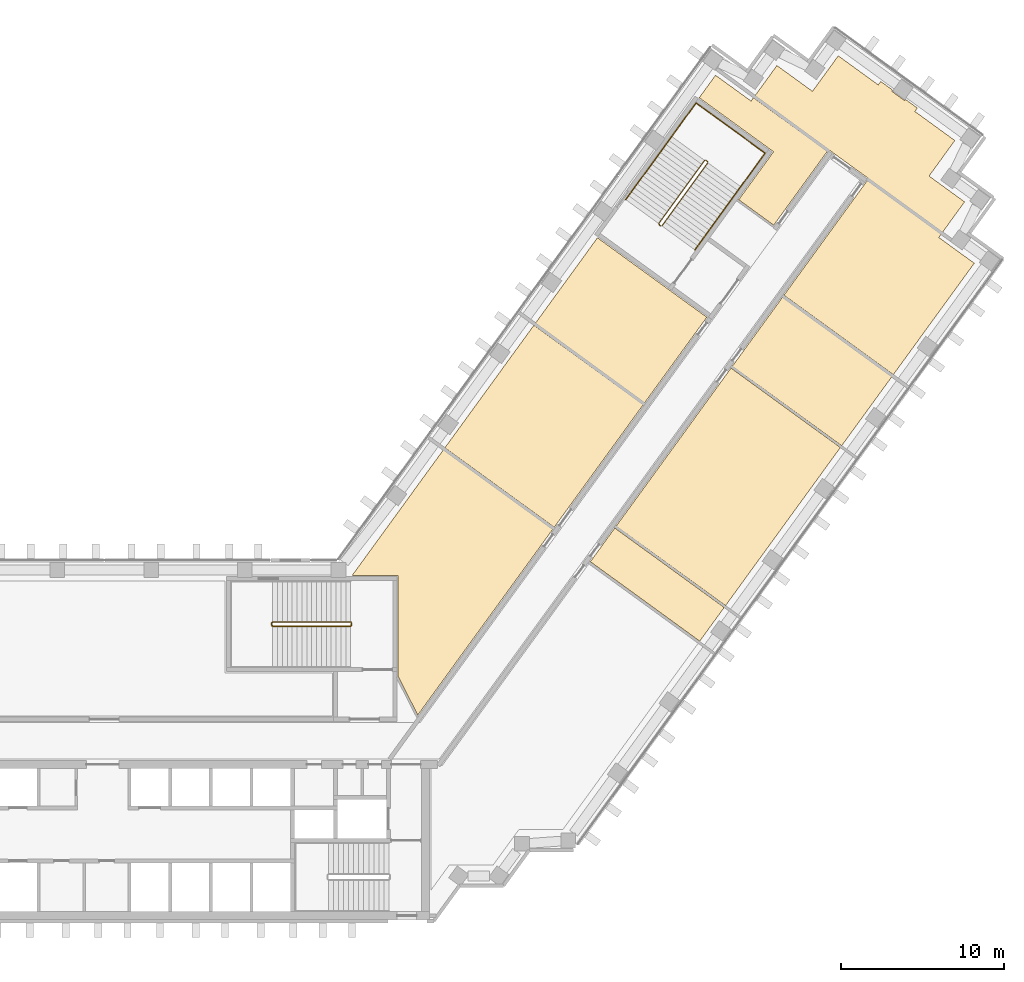
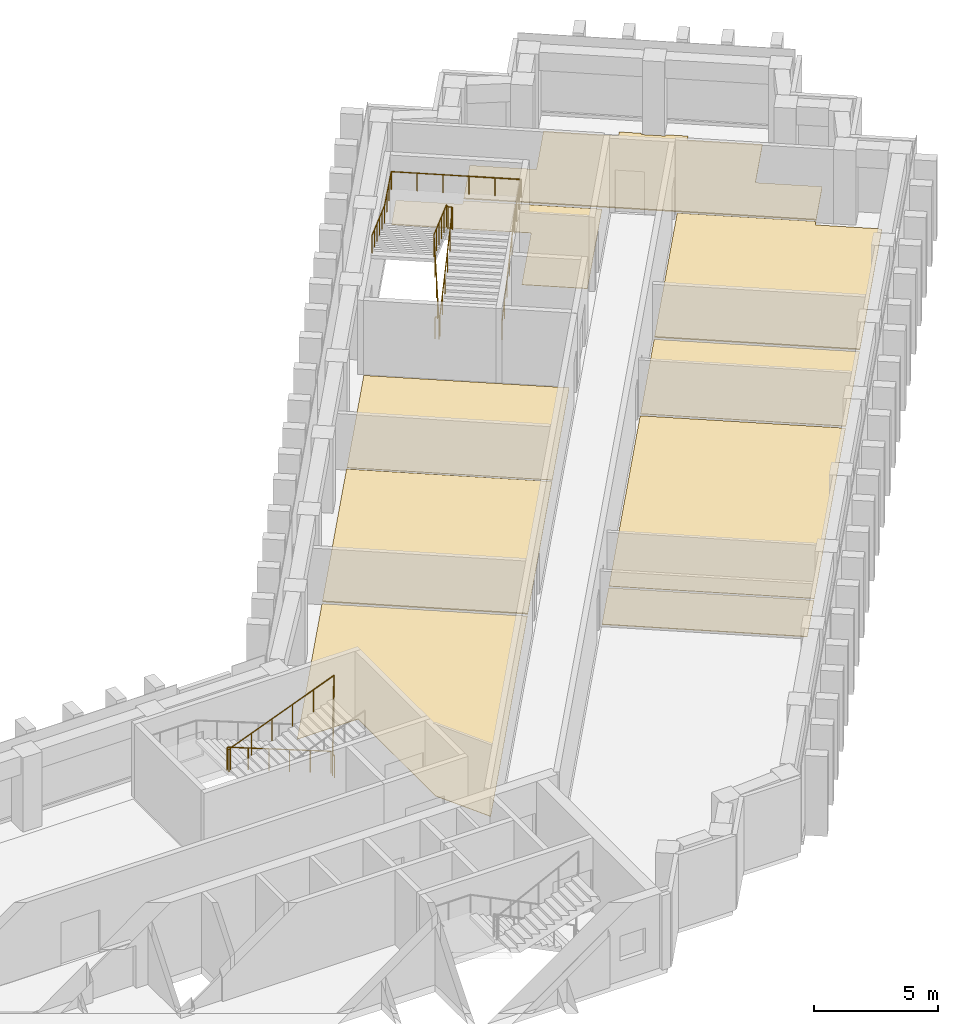
# One storey, part 16 of 16: 9 coverings, 3 railings.
"""IFC4 building model written with IfcOpenShell, lengths in metres."""

from ifc_helpers import new_model, si_unit, direction, frame, origin, origin_2d, place, context, subcontext, project, spatial, polyline, circle, outline, extrude, material, layer, layer_set, type_object, element, save


model = new_model("IFC4")

# Units and contexts
model_context = context("Model", 3, precision=1e-05, world=origin(), true_north=direction((0.0, 1.0)))
body_context = subcontext(model_context, "Body", "Model", "MODEL_VIEW")
ifc_project = project(units=[si_unit("LENGTHUNIT", "METRE"), si_unit("AREAUNIT", "SQUARE_METRE"), si_unit("VOLUMEUNIT", "CUBIC_METRE"), si_unit("PLANEANGLEUNIT", "RADIAN"), si_unit("MASSUNIT", "GRAM", prefix="KILO")], contexts=[model_context])

# Site, building, storey
site_placement = place(None, origin())
site = spatial("IfcSite", under=ifc_project, at=site_placement, CompositionType="ELEMENT")
building_placement = place(site_placement, origin())
building = spatial("IfcBuilding", under=site, at=building_placement, Name="Quipu Civic Tower", CompositionType="ELEMENT")
storey_placement = place(building_placement, frame((0.0, 0.0, 51.0)))
storey = spatial("IfcBuildingStorey", under=building, at=storey_placement, Name="L11", CompositionType="ELEMENT", Elevation=51.0)

# Coverings
ifc_material_1 = material(Name="Carpet tile on raised access floor")
ifc_layer_1 = layer(ifc_material_1, 0.02001953125)
ifc_layer_set_1 = layer_set([ifc_layer_1], Name="Carpet tile on raised access floor")
covering_type_1 = type_object("IfcCoveringType", Name="Carpet tile floor finish 20", PredefinedType="FLOORING", material=ifc_layer_set_1)
covering_1_placement = place(storey_placement, origin())
element("IfcCovering", 1, at=covering_1_placement, inside=storey, type_object=covering_type_1, Name="Carpet tile floor finish 20", PredefinedType="FLOORING", context=body_context, shape_type="SweptSolid", body=[
    extrude(outline(polyline([(15.238037109375, 10.169921875), (20.85498046875, 17.90087890625), (27.577880859375, 13.01708984375), (19.27197265625, 1.583984375), (18.070068359375, 3.94189453125), (18.070068359375, 10.1689453125), (15.238037109375, 10.169921875)])), origin(), (0.0, 0.0, 1.0), 0.02001953125),
])
covering_2_placement = place(storey_placement, origin())
element("IfcCovering", 2, at=covering_2_placement, inside=storey, type_object=covering_type_1, Name="Carpet tile floor finish 20", PredefinedType="FLOORING", context=body_context, shape_type="SweptSolid", body=[
    extrude(outline(polyline([(36.570068359375, 39.530029296875), (37.573974609375, 40.9130859375), (39.757080078125, 39.327880859375), (39.906005859375, 39.530029296875), (44.445068359375, 36.23193359375), (41.15087890625, 31.697021484375), (38.998046875, 33.260009765625), (41.139892578125, 36.208984375), (36.570068359375, 39.530029296875)])), origin(), (0.0, 0.0, 1.0), 0.02001953125),
])
covering_3_placement = place(storey_placement, origin())
element("IfcCovering", 3, at=covering_3_placement, inside=storey, type_object=covering_type_1, Name="Carpet tile floor finish 20", PredefinedType="FLOORING", context=body_context, shape_type="SweptSolid", body=[
    extrude(outline(polyline([(38.60791015625, 23.02490234375), (41.698974609375, 27.281005859375), (48.422119140625, 22.39697265625), (45.3310546875, 18.14111328125), (38.60791015625, 23.02490234375)])), origin(), (0.0, 0.0, 1.0), 0.02001953125),
])
covering_4_placement = place(storey_placement, origin())
element("IfcCovering", 4, at=covering_4_placement, inside=storey, type_object=covering_type_1, Name="Carpet tile floor finish 20", PredefinedType="FLOORING", context=body_context, shape_type="SweptSolid", body=[
    extrude(outline(polyline([(26.491943359375, 25.658935546875), (30.31494140625, 30.922119140625), (37.0380859375, 26.0380859375), (33.215087890625, 20.77490234375), (26.491943359375, 25.658935546875)])), origin(), (0.0, 0.0, 1.0), 0.02001953125),
])
covering_5_placement = place(storey_placement, origin())
element("IfcCovering", 5, at=covering_5_placement, inside=storey, type_object=covering_type_1, Name="Carpet tile floor finish 20", PredefinedType="FLOORING", context=body_context, shape_type="SweptSolid", body=[
    extrude(outline(polyline([(31.466064453125, 13.195068359375), (38.52490234375, 22.912109375), (45.248046875, 18.028076171875), (38.18994140625, 8.31201171875), (31.466064453125, 13.195068359375)])), origin(), (0.0, 0.0, 1.0), 0.02001953125),
])
ifc_material_2 = material(Name="Ceramic floor tile")
ifc_layer_2 = layer(ifc_material_2, 0.030029296875)
ifc_layer_set_2 = layer_set([ifc_layer_2], Name="Ceramic floor tile")
covering_type_2 = type_object("IfcCoveringType", Name="Ceramic tile floor finish 30", PredefinedType="FLOORING", material=ifc_layer_set_2)
covering_6_placement = place(storey_placement, origin())
element("IfcCovering", 6, at=covering_6_placement, inside=storey, type_object=covering_type_2, Name="Ceramic tile floor finish 30", PredefinedType="FLOORING", context=body_context, shape_type="SweptSolid", body=[
    extrude(outline(polyline([(29.87890625, 11.010986328125), (31.383056640625, 13.08203125), (38.10693359375, 8.198974609375), (36.60302734375, 6.126953125), (29.87890625, 11.010986328125)])), origin(), (0.0, 0.0, 1.0), 0.030029296875),
])
ifc_material_3 = material(Name="Sealed cement screed")
ifc_layer_3 = layer(ifc_material_3, 0.050048828125)
ifc_layer_set_3 = layer_set([ifc_layer_3], Name="Sealed cement screed")
covering_type_3 = type_object("IfcCoveringType", Name="Sealed screed floor finish 50", PredefinedType="FLOORING", material=ifc_layer_set_3)
covering_7_placement = place(storey_placement, origin())
element("IfcCovering", 7, at=covering_7_placement, inside=storey, type_object=covering_type_3, Name="Sealed screed floor finish 50", PredefinedType="FLOORING", context=body_context, shape_type="SweptSolid", body=[
    extrude(outline(polyline([(39.989013671875, 39.64208984375), (41.346923828125, 41.510986328125), (43.531982421875, 39.925048828125), (45.116943359375, 42.10791015625), (47.574951171875, 40.322021484375), (47.72900390625, 40.531982421875), (48.449951171875, 40.008056640625), (48.427001953125, 39.97705078125), (48.424072265625, 39.972900390625), (48.422119140625, 39.968017578125), (48.419921875, 39.964111328125), (48.4189453125, 39.958984375), (48.41796875, 39.9541015625), (48.4169921875, 39.948974609375), (48.4169921875, 39.944091796875), (48.41796875, 39.93994140625), (48.4189453125, 39.93505859375), (48.419921875, 39.929931640625), (48.422119140625, 39.926025390625), (48.425048828125, 39.9208984375), (48.427001953125, 39.9169921875), (48.430908203125, 39.9130859375), (48.43408203125, 39.909912109375), (48.43798828125, 39.906982421875), (49.166015625, 39.3779296875), (49.169921875, 39.375), (49.174072265625, 39.373046875), (49.178955078125, 39.37109375), (49.18408203125, 39.3701171875), (49.18896484375, 39.368896484375), (49.193115234375, 39.367919921875), (49.197998046875, 39.367919921875), (49.202880859375, 39.368896484375), (49.2080078125, 39.3701171875), (49.212890625, 39.37109375), (49.217041015625, 39.373046875), (49.220947265625, 39.3759765625), (49.22607421875, 39.3779296875), (49.22900390625, 39.382080078125), (49.23291015625, 39.385009765625), (49.236083984375, 39.388916015625), (49.259033203125, 39.4208984375), (49.97900390625, 38.89697265625), (49.826904296875, 38.68603515625), (52.284912109375, 36.90087890625), (50.698974609375, 34.717041015625), (52.883056640625, 33.1298828125), (51.52587890625, 31.260009765625), (39.989013671875, 39.64208984375)])), origin(), (0.0, 0.0, 1.0), 0.050048828125),
])
covering_8_placement = place(storey_placement, origin())
element("IfcCovering", 8, at=covering_8_placement, inside=storey, type_object=covering_type_3, Name="Sealed screed floor finish 50", PredefinedType="FLOORING", context=body_context, shape_type="SweptSolid", body=[
    extrude(outline(polyline([(41.781982421875, 27.39404296875), (46.904052734375, 34.444091796875), (51.443115234375, 31.14599609375), (51.298095703125, 30.943115234375), (53.47998046875, 29.35791015625), (48.5048828125, 22.510009765625), (41.781982421875, 27.39404296875)])), origin(), (0.0, 0.0, 1.0), 0.050048828125),
])
covering_9_placement = place(storey_placement, origin())
element("IfcCovering", 9, at=covering_9_placement, inside=storey, type_object=covering_type_3, Name="Sealed screed floor finish 50", PredefinedType="FLOORING", context=body_context, shape_type="SweptSolid", body=[
    extrude(outline(polyline([(20.93798828125, 18.013916015625), (26.408935546875, 25.5458984375), (33.132080078125, 20.662109375), (27.660888671875, 13.1298828125), (20.93798828125, 18.013916015625)])), origin(), (0.0, 0.0, 1.0), 0.050048828125),
])

# Railings
ifc_material_4 = material(Name="Stainless steel", Category="steel")
railing_type_1 = type_object("IfcRailingType", Name="Stair guard 1100", PredefinedType="GUARDRAIL", material=ifc_material_4)
railing_1_placement = place(storey_placement, frame((15.14990234375, 7.300048828125, 0.11767578125)))
element("IfcRailing", 10, at=railing_1_placement, inside=storey, type_object=railing_type_1, Name="Stair 4 guard", PredefinedType="GUARDRAIL", context=body_context, shape_type="SweptSolid", body=[
    extrude(circle(Radius=0.02392578125, at=origin_2d()), frame((0.0, 0.0, 1.076171875), z_axis=(-0.930970042603, 0.0, 0.365095576219), x_axis=(0.0, -1.0, 0.0)), (0.0, 0.0, 1.0), 5.15576171875),
    extrude(circle(Radius=0.02392578125, at=origin_2d()), frame((-4.7998046875, 0.0, 2.95849609375), z_axis=(-0.707106781187, -0.707106781187, 0.0), x_axis=(0.707106781187, -0.707106781187, 0.0)), (0.0, 0.0, 1.0), 0.07080078125),
    extrude(circle(Radius=0.02392578125, at=origin_2d()), frame((-4.849853515625, -0.050048828125, 2.95849609375), z_axis=(0.0, -1.0, 0.0), x_axis=(1.0, 0.0, 0.0)), (0.0, 0.0, 1.0), 0.14990234375),
    extrude(circle(Radius=0.02392578125, at=origin_2d()), frame((-4.849853515625, -0.199951171875, 2.95849609375), z_axis=(0.364463019033, -0.364463019033, 0.856932561824), x_axis=(0.707106781187, 0.707106781187, 0.0)), (0.0, 0.0, 1.0), 0.13720703125),
    extrude(circle(Radius=0.02392578125, at=origin_2d()), frame((-4.7998046875, -0.25, 3.076171875), z_axis=(0.930970042603, 0.0, 0.365095576219), x_axis=(0.0, 1.0, 0.0)), (0.0, 0.0, 1.0), 5.15576171875),
    extrude(circle(Radius=0.02392578125, at=origin_2d()), frame((0.0, -0.25, 4.95849609375), z_axis=(0.012495627992, 0.049921557685, -0.998674970829), x_axis=(-0.970072785993, 0.242814311512, 0.0)), (0.0, 0.0, 1.0), 4.00537109375),
    extrude(circle(Radius=0.02392578125, at=origin_2d()), frame((0.050048828125, -0.050048828125, 0.95849609375), z_axis=(0.0, -1.0, 0.0), x_axis=(1.0, 0.0, 0.0)), (0.0, 0.0, 1.0), 0.14990234375),
    extrude(circle(Radius=0.02099609375, at=origin_2d()), origin(), (0.0, 0.0, 1.0), 1.052001953125),
    extrude(circle(Radius=0.02099609375, at=origin_2d()), frame((-0.9599609375, 0.0, 0.37646484375)), (0.0, 0.0, 1.0), 1.052001953125),
    extrude(circle(Radius=0.02099609375, at=origin_2d()), frame((-1.919921875, 0.0, 0.7529296875)), (0.0, 0.0, 1.0), 1.052001953125),
    extrude(circle(Radius=0.02099609375, at=origin_2d()), frame((-2.8798828125, 0.0, 1.12939453125)), (0.0, 0.0, 1.0), 1.052001953125),
    extrude(circle(Radius=0.02099609375, at=origin_2d()), frame((-3.83984375, 0.0, 1.505859375)), (0.0, 0.0, 1.0), 1.052001953125),
    extrude(circle(Radius=0.02099609375, at=origin_2d()), frame((-4.7998046875, 0.0, 1.88232421875)), (0.0, 0.0, 1.0), 1.052001953125),
    extrude(circle(Radius=0.02099609375, at=origin_2d()), frame((-4.849853515625, -0.050048828125, 1.88232421875)), (0.0, 0.0, 1.0), 1.052001953125),
    extrude(circle(Radius=0.02099609375, at=origin_2d()), frame((-4.849853515625, -0.199951171875, 1.88232421875)), (0.0, 0.0, 1.0), 1.052001953125),
    extrude(circle(Radius=0.02099609375, at=origin_2d()), frame((-4.7998046875, -0.25, 2.0)), (0.0, 0.0, 1.0), 1.052001953125),
    extrude(circle(Radius=0.02099609375, at=origin_2d()), frame((-3.83984375, -0.25, 2.37646484375)), (0.0, 0.0, 1.0), 1.052001953125),
    extrude(circle(Radius=0.02099609375, at=origin_2d()), frame((-2.8798828125, -0.25, 2.7529296875)), (0.0, 0.0, 1.0), 1.052001953125),
    extrude(circle(Radius=0.02099609375, at=origin_2d()), frame((-1.919921875, -0.25, 3.12939453125)), (0.0, 0.0, 1.0), 1.052001953125),
    extrude(circle(Radius=0.02099609375, at=origin_2d()), frame((-0.9599609375, -0.25, 3.505859375)), (0.0, 0.0, 1.0), 1.052001953125),
    extrude(circle(Radius=0.02099609375, at=origin_2d()), frame((0.0, -0.25, 3.88232421875)), (0.0, 0.0, 1.0), 1.052001953125),
    extrude(circle(Radius=0.02099609375, at=origin_2d()), frame((0.012451171875, -0.199951171875, 2.88232421875)), (0.0, 0.0, 1.0), 1.052001953125),
    extrude(circle(Radius=0.02099609375, at=origin_2d()), frame((0.02490234375, -0.14990234375, 1.88232421875)), (0.0, 0.0, 1.0), 1.052001953125),
    extrude(circle(Radius=0.02099609375, at=origin_2d()), frame((0.03759765625, -0.10009765625, 0.88232421875)), (0.0, 0.0, 1.0), 1.052001953125),
    extrude(circle(Radius=0.02099609375, at=origin_2d()), frame((0.050048828125, -0.050048828125, -0.11767578125)), (0.0, 0.0, 1.0), 1.052001953125),
    extrude(circle(Radius=0.02099609375, at=origin_2d()), frame((0.050048828125, -0.199951171875, -0.11767578125)), (0.0, 0.0, 1.0), 1.052001953125),
])
railing_2_placement = place(storey_placement, frame((34.28125, 31.650390625, 0.11767578125)))
element("IfcRailing", 11, at=railing_2_placement, inside=storey, type_object=railing_type_1, Name="Stair 7 guard", PredefinedType="GUARDRAIL", context=body_context, shape_type="SweptSolid", body=[
    extrude(circle(Radius=0.02392578125, at=origin_2d()), frame((0.0, 0.0, 1.076171875), z_axis=(0.54720100349, 0.753182689643, 0.365084781664), x_axis=(-0.809026317077, 0.587772420479, 0.0)), (0.0, 0.0, 1.0), 5.15576171875),
    extrude(circle(Radius=0.02392578125, at=origin_2d()), frame((2.8212890625, 3.88330078125, 2.95849609375), z_axis=(-0.155430446612, 0.987846838465, 0.0), x_axis=(-0.987846838465, -0.155430446612, 0.0)), (0.0, 0.0, 1.0), 0.07080078125),
    extrude(circle(Radius=0.02392578125, at=origin_2d()), frame((2.810302734375, 3.953125, 2.95849609375), z_axis=(-0.809649071907, 0.586914287065, 0.0), x_axis=(-0.586914287065, -0.809649071907, 0.0)), (0.0, 0.0, 1.0), 0.150146484375),
    extrude(circle(Radius=0.02392578125, at=origin_2d()), frame((2.688720703125, 4.041259765625, 2.95849609375), z_axis=(-0.508654480474, -0.080033047627, 0.857242865693), x_axis=(0.155430446612, -0.987846838465, 0.0)), (0.0, 0.0, 1.0), 0.13720703125),
    extrude(circle(Radius=0.02392578125, at=origin_2d()), frame((2.618896484375, 4.0302734375, 3.076171875), z_axis=(-0.54720100349, -0.753182689643, 0.365084781664), x_axis=(0.809026317077, -0.587772420479, 0.0)), (0.0, 0.0, 1.0), 5.15576171875),
    extrude(circle(Radius=0.02392578125, at=origin_2d()), frame((-0.202392578125, 0.14697265625, 4.95849609375), z_axis=(0.033037246672, -0.039437451286, -0.998675737048), x_axis=(0.766567769536, 0.642163417448, 0.0)), (0.0, 0.0, 1.0), 4.00537109375),
    extrude(circle(Radius=0.02392578125, at=origin_2d()), frame((-0.070068359375, -0.010986328125, 0.95849609375), z_axis=(-0.809087927272, 0.587687609145, 0.0), x_axis=(-0.587687609145, -0.809087927272, 0.0)), (0.0, 0.0, 1.0), 0.14990234375),
    extrude(circle(Radius=0.02099609375, at=origin_2d()), origin(), (0.0, 0.0, 1.0), 1.052001953125),
    extrude(circle(Radius=0.02099609375, at=origin_2d()), frame((0.564208984375, 0.776611328125, 0.37646484375)), (0.0, 0.0, 1.0), 1.052001953125),
    extrude(circle(Radius=0.02099609375, at=origin_2d()), frame((1.12841796875, 1.55322265625, 0.7529296875)), (0.0, 0.0, 1.0), 1.052001953125),
    extrude(circle(Radius=0.02099609375, at=origin_2d()), frame((1.69287109375, 2.330078125, 1.12939453125)), (0.0, 0.0, 1.0), 1.052001953125),
    extrude(circle(Radius=0.02099609375, at=origin_2d()), frame((2.257080078125, 3.106689453125, 1.505859375)), (0.0, 0.0, 1.0), 1.052001953125),
    extrude(circle(Radius=0.02099609375, at=origin_2d()), frame((2.8212890625, 3.88330078125, 1.88232421875)), (0.0, 0.0, 1.0), 1.052001953125),
    extrude(circle(Radius=0.02099609375, at=origin_2d()), frame((2.810302734375, 3.953125, 1.88232421875)), (0.0, 0.0, 1.0), 1.052001953125),
    extrude(circle(Radius=0.02099609375, at=origin_2d()), frame((2.688720703125, 4.041259765625, 1.88232421875)), (0.0, 0.0, 1.0), 1.052001953125),
    extrude(circle(Radius=0.02099609375, at=origin_2d()), frame((2.618896484375, 4.0302734375, 2.0)), (0.0, 0.0, 1.0), 1.052001953125),
    extrude(circle(Radius=0.02099609375, at=origin_2d()), frame((2.0546875, 3.253662109375, 2.37646484375)), (0.0, 0.0, 1.0), 1.052001953125),
    extrude(circle(Radius=0.02099609375, at=origin_2d()), frame((1.490478515625, 2.47705078125, 2.7529296875)), (0.0, 0.0, 1.0), 1.052001953125),
    extrude(circle(Radius=0.02099609375, at=origin_2d()), frame((0.926025390625, 1.7001953125, 3.12939453125)), (0.0, 0.0, 1.0), 1.052001953125),
    extrude(circle(Radius=0.02099609375, at=origin_2d()), frame((0.36181640625, 0.923583984375, 3.505859375)), (0.0, 0.0, 1.0), 1.052001953125),
    extrude(circle(Radius=0.02099609375, at=origin_2d()), frame((-0.202392578125, 0.14697265625, 3.88232421875)), (0.0, 0.0, 1.0), 1.052001953125),
    extrude(circle(Radius=0.02099609375, at=origin_2d()), frame((-0.16943359375, 0.107421875, 2.88232421875)), (0.0, 0.0, 1.0), 1.052001953125),
    extrude(circle(Radius=0.02099609375, at=origin_2d()), frame((-0.13623046875, 0.06787109375, 1.88232421875)), (0.0, 0.0, 1.0), 1.052001953125),
    extrude(circle(Radius=0.02099609375, at=origin_2d()), frame((-0.10302734375, 0.028564453125, 0.88232421875)), (0.0, 0.0, 1.0), 1.052001953125),
    extrude(circle(Radius=0.02099609375, at=origin_2d()), frame((-0.070068359375, -0.010986328125, -0.11767578125)), (0.0, 0.0, 1.0), 1.052001953125),
    extrude(circle(Radius=0.02099609375, at=origin_2d()), frame((-0.19140625, 0.0771484375, -0.11767578125)), (0.0, 0.0, 1.0), 1.052001953125),
])
ifc_material_5 = material(Name="Stainless steel", Category="steel")
railing_type_2 = type_object("IfcRailingType", Name="Stair handrail", PredefinedType="HANDRAIL", material=ifc_material_5)
railing_3_placement = place(storey_placement, frame((36.3037109375, 30.180908203125, 0.11767578125)))
element("IfcRailing", 12, at=railing_3_placement, inside=storey, type_object=railing_type_2, Name="Stair 7 handrail", PredefinedType="HANDRAIL", context=body_context, shape_type="SweptSolid", body=[
    extrude(circle(Radius=0.02392578125, at=origin_2d()), frame((0.0, 0.0, 0.8759765625), z_axis=(0.54720100349, 0.753182689643, 0.365084781664), x_axis=(-0.809026317077, 0.587772420479, 0.0)), (0.0, 0.0, 1.0), 5.15576171875),
    extrude(circle(Radius=0.02392578125, at=origin_2d()), frame((2.8212890625, 3.88330078125, 2.75830078125), z_axis=(0.587767432704, 0.809029940764, 0.0), x_axis=(-0.809029940764, 0.587767432704, 0.0)), (0.0, 0.0, 1.0), 2.550048828125),
    extrude(circle(Radius=0.02392578125, at=origin_2d()), frame((4.320068359375, 5.9462890625, 2.75830078125), z_axis=(-0.809009483706, 0.587795589702, 0.0), x_axis=(-0.587795589702, -0.809009483706, 0.0)), (0.0, 0.0, 1.0), 5.25),
    extrude(circle(Radius=0.02392578125, at=origin_2d()), frame((0.07275390625, 9.0322265625, 2.75830078125), z_axis=(-0.587142558822, -0.808169835812, 0.046099155132), x_axis=(0.809029940764, -0.587767432704, 0.0)), (0.0, 0.0, 1.0), 2.552734375),
    extrude(circle(Radius=0.02392578125, at=origin_2d()), frame((-1.426025390625, 6.96923828125, 2.8759765625), z_axis=(-0.54720100349, -0.753182689643, 0.365084781664), x_axis=(0.809026317077, -0.587772420479, 0.0)), (0.0, 0.0, 1.0), 5.15576171875),
    extrude(circle(Radius=0.02099609375, at=origin_2d()), origin(), (0.0, 0.0, 1.0), 0.851806640625),
    extrude(circle(Radius=0.02099609375, at=origin_2d()), frame((0.564208984375, 0.776611328125, 0.37646484375)), (0.0, 0.0, 1.0), 0.851806640625),
    extrude(circle(Radius=0.02099609375, at=origin_2d()), frame((1.12841796875, 1.55322265625, 0.7529296875)), (0.0, 0.0, 1.0), 0.851806640625),
    extrude(circle(Radius=0.02099609375, at=origin_2d()), frame((1.69287109375, 2.330078125, 1.12939453125)), (0.0, 0.0, 1.0), 0.851806640625),
    extrude(circle(Radius=0.02099609375, at=origin_2d()), frame((2.257080078125, 3.106689453125, 1.505859375)), (0.0, 0.0, 1.0), 0.851806640625),
    extrude(circle(Radius=0.02099609375, at=origin_2d()), frame((2.8212890625, 3.88330078125, 1.88232421875)), (0.0, 0.0, 1.0), 0.851806640625),
    extrude(circle(Radius=0.02099609375, at=origin_2d()), frame((3.32080078125, 4.571044921875, 1.88232421875)), (0.0, 0.0, 1.0), 0.851806640625),
    extrude(circle(Radius=0.02099609375, at=origin_2d()), frame((3.820556640625, 5.258544921875, 1.88232421875)), (0.0, 0.0, 1.0), 0.851806640625),
    extrude(circle(Radius=0.02099609375, at=origin_2d()), frame((4.320068359375, 5.9462890625, 1.88232421875)), (0.0, 0.0, 1.0), 0.851806640625),
    extrude(circle(Radius=0.02099609375, at=origin_2d()), frame((3.470703125, 6.5634765625, 1.88232421875)), (0.0, 0.0, 1.0), 0.851806640625),
    extrude(circle(Radius=0.02099609375, at=origin_2d()), frame((2.62109375, 7.1806640625, 1.88232421875)), (0.0, 0.0, 1.0), 0.851806640625),
    extrude(circle(Radius=0.02099609375, at=origin_2d()), frame((1.771728515625, 7.7978515625, 1.88232421875)), (0.0, 0.0, 1.0), 0.851806640625),
    extrude(circle(Radius=0.02099609375, at=origin_2d()), frame((0.922119140625, 8.4150390625, 1.88232421875)), (0.0, 0.0, 1.0), 0.851806640625),
    extrude(circle(Radius=0.02099609375, at=origin_2d()), frame((0.07275390625, 9.0322265625, 1.88232421875)), (0.0, 0.0, 1.0), 0.851806640625),
    extrude(circle(Radius=0.02099609375, at=origin_2d()), frame((-0.4267578125, 8.344482421875, 1.921630859375)), (0.0, 0.0, 1.0), 0.851806640625),
    extrude(circle(Radius=0.02099609375, at=origin_2d()), frame((-0.926513671875, 7.656982421875, 1.960693359375)), (0.0, 0.0, 1.0), 0.851806640625),
    extrude(circle(Radius=0.02099609375, at=origin_2d()), frame((-1.426025390625, 6.96923828125, 2.0)), (0.0, 0.0, 1.0), 0.851806640625),
    extrude(circle(Radius=0.02099609375, at=origin_2d()), frame((-1.990234375, 6.192626953125, 2.37646484375)), (0.0, 0.0, 1.0), 0.851806640625),
    extrude(circle(Radius=0.02099609375, at=origin_2d()), frame((-2.554443359375, 5.416015625, 2.7529296875)), (0.0, 0.0, 1.0), 0.851806640625),
    extrude(circle(Radius=0.02099609375, at=origin_2d()), frame((-3.118896484375, 4.63916015625, 3.12939453125)), (0.0, 0.0, 1.0), 0.851806640625),
    extrude(circle(Radius=0.02099609375, at=origin_2d()), frame((-3.68310546875, 3.862548828125, 3.505859375)), (0.0, 0.0, 1.0), 0.851806640625),
    extrude(circle(Radius=0.02099609375, at=origin_2d()), frame((-4.247314453125, 3.0859375, 3.88232421875)), (0.0, 0.0, 1.0), 0.851806640625),
])

save(model, "model.ifc")
